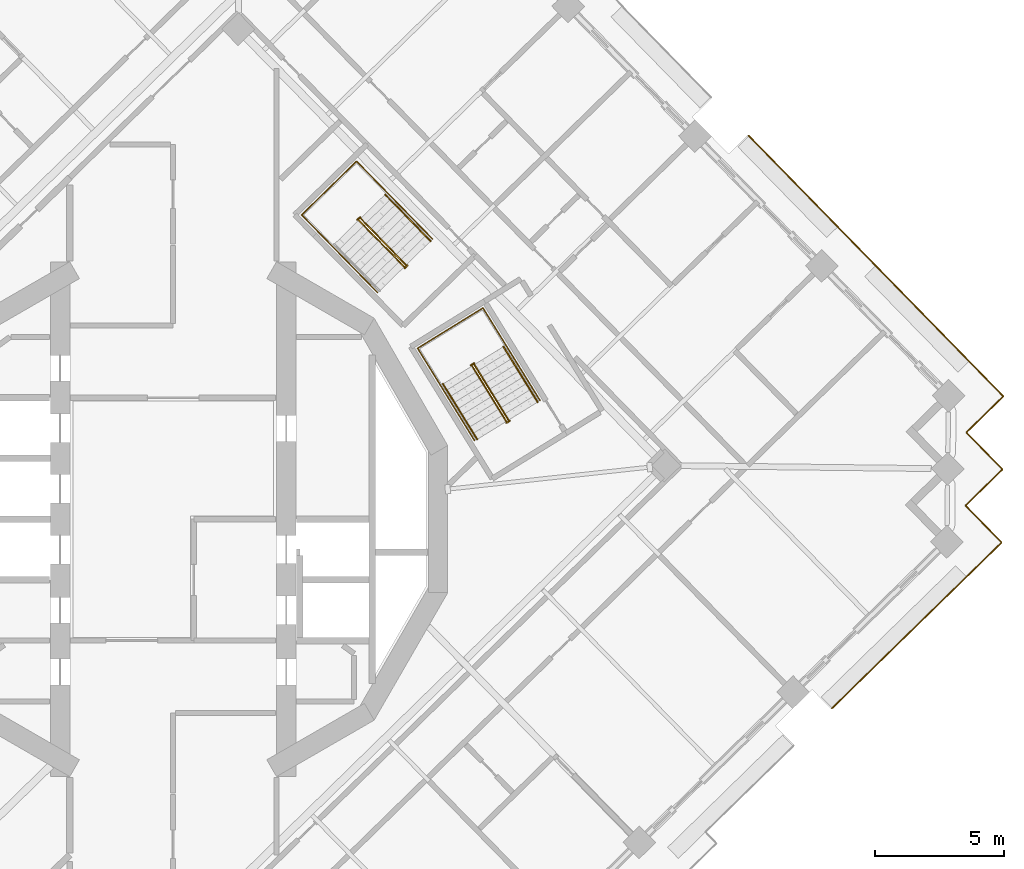
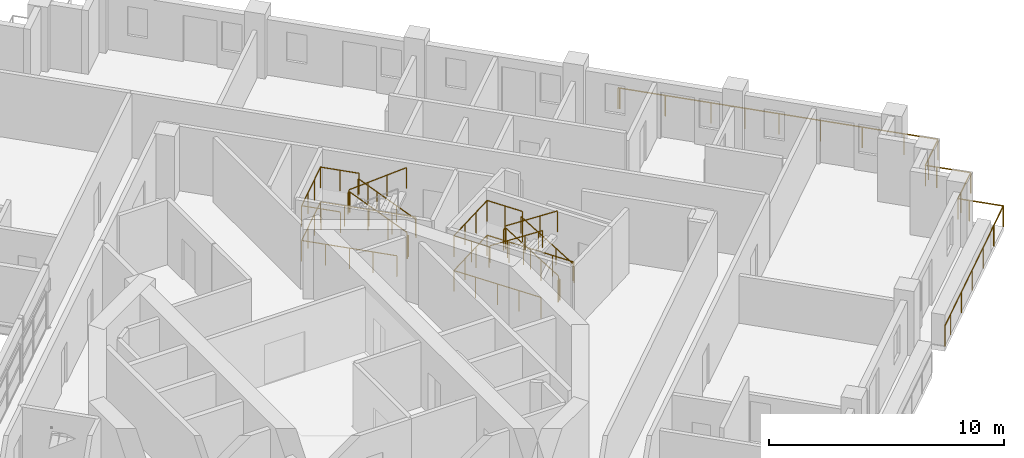
# One storey, part 19 of 21: 14 railings.
"""IFC4 building model written with IfcOpenShell, lengths in metres."""

from ifc_helpers import new_model, si_unit, direction, frame, origin, origin_2d, place, context, subcontext, project, spatial, circle, extrude, material, type_object, element, save


model = new_model("IFC4")

# Units and contexts
model_context = context("Model", 3, precision=1e-05, world=origin(), true_north=direction((0.0, 1.0)))
body_context = subcontext(model_context, "Body", "Model", "MODEL_VIEW")
ifc_project = project(units=[si_unit("LENGTHUNIT", "METRE"), si_unit("AREAUNIT", "SQUARE_METRE"), si_unit("VOLUMEUNIT", "CUBIC_METRE"), si_unit("PLANEANGLEUNIT", "RADIAN"), si_unit("MASSUNIT", "GRAM", prefix="KILO")], contexts=[model_context])

# Site, building, storey
site_placement = place(None, origin())
site = spatial("IfcSite", under=ifc_project, at=site_placement, CompositionType="ELEMENT")
building_placement = place(site_placement, origin())
building = spatial("IfcBuilding", under=site, at=building_placement, Name="Cantera Rosa Tower", CompositionType="ELEMENT")
storey_placement = place(building_placement, frame((0.0, 0.0, 234.199951171875)))
storey = spatial("IfcBuildingStorey", under=building, at=storey_placement, Name="L51", CompositionType="ELEMENT", Elevation=234.199951171875)

# Railings
ifc_material_1 = material(Name="Stainless steel and laminated glass", Category="steel")
railing_type_1 = type_object("IfcRailingType", Name="GUARD 1100", PredefinedType="BALUSTRADE", material=ifc_material_1)
railing_1_placement = place(storey_placement, frame((22.26416015625, 14.845703125, 0.0)))
element("IfcRailing", 1, at=railing_1_placement, inside=storey, type_object=railing_type_1, Name="GUARD L51-8", PredefinedType="BALUSTRADE", context=body_context, shape_type="SweptSolid", body=[
    extrude(circle(Radius=0.030029296875, at=origin_2d()), frame((0.0, 0.0, 1.070068359375), z_axis=(0.700106234421, -0.714038696798, 0.0), x_axis=(0.714038696798, 0.700106234421, 0.0)), (0.0, 0.0, 1.0), 0.070068359375),
    extrude(circle(Radius=0.030029296875, at=origin_2d()), frame((0.049072265625, -0.050048828125, 1.070068359375), z_axis=(0.698829866575, -0.715287926351, 0.0), x_axis=(0.715287926351, 0.698829866575, 0.0)), (0.0, 0.0, 1.0), 4.02001953125),
    extrude(circle(Radius=0.030029296875, at=origin_2d()), frame((2.8583984375, -2.925537109375, 1.070068359375), z_axis=(0.698839281014, -0.715278728407, 0.0), x_axis=(0.715278728407, 0.698839281014, 0.0)), (0.0, 0.0, 1.0), 3.0),
    extrude(circle(Radius=0.030029296875, at=origin_2d()), frame((4.954833984375, -5.0712890625, 1.070068359375), z_axis=(0.698810055914, -0.715307280652, 0.0), x_axis=(0.715307280652, 0.698810055914, 0.0)), (0.0, 0.0, 1.0), 5.52001953125),
    extrude(circle(Radius=0.030029296875, at=origin_2d()), frame((8.812255859375, -9.019775390625, 1.070068359375), z_axis=(0.698921594874, -0.71519829713, 0.0), x_axis=(0.71519829713, 0.698921594874, 0.0)), (0.0, 0.0, 1.0), 1.5),
    extrude(circle(Radius=0.030029296875, at=origin_2d()), frame((9.860595703125, -10.092529296875, 1.070068359375), z_axis=(-0.715277793538, -0.698840237873, 0.0), x_axis=(0.698840237873, -0.715277793538, 0.0)), (0.0, 0.0, 1.0), 1.5),
    extrude(circle(Radius=0.030029296875, at=origin_2d()), frame((8.78759765625, -11.140869140625, 1.070068359375), z_axis=(-0.715359149995, -0.698756958118, 0.0), x_axis=(0.698756958118, -0.715359149995, 0.0)), (0.0, 0.0, 1.0), 0.5),
    extrude(circle(Radius=0.030029296875, at=origin_2d()), frame((8.429931640625, -11.490234375, 1.070068359375), z_axis=(0.699006712162, -0.715115107065, 0.0), x_axis=(0.715115107065, 0.699006712162, 0.0)), (0.0, 0.0, 1.0), 0.500244140625),
    extrude(circle(Radius=0.030029296875, at=origin_2d()), frame((8.779541015625, -11.847900390625, 1.070068359375), z_axis=(0.698756958118, -0.715359149995, 0.0), x_axis=(0.715359149995, 0.698756958118, 0.0)), (0.0, 0.0, 1.0), 1.5),
    extrude(circle(Radius=0.030029296875, at=origin_2d()), frame((9.82763671875, -12.9208984375, 1.070068359375), z_axis=(-0.71519829713, -0.698921594874, 0.0), x_axis=(0.698921594874, -0.71519829713, 0.0)), (0.0, 0.0, 1.0), 1.5),
    extrude(circle(Radius=0.030029296875, at=origin_2d()), frame((8.7548828125, -13.96923828125, 1.070068359375), z_axis=(-0.715359149995, -0.698756958118, 0.0), x_axis=(0.698756958118, -0.715359149995, 0.0)), (0.0, 0.0, 1.0), 0.5),
    extrude(circle(Radius=0.030029296875, at=origin_2d()), frame((8.397216796875, -14.318603515625, 1.070068359375), z_axis=(0.698756958118, -0.715359149995, 0.0), x_axis=(0.715359149995, 0.698756958118, 0.0)), (0.0, 0.0, 1.0), 0.5),
    extrude(circle(Radius=0.030029296875, at=origin_2d()), frame((8.74658203125, -14.67626953125, 1.070068359375), z_axis=(0.698838323933, -0.71527966349, 0.0), x_axis=(0.71527966349, 0.698838323933, 0.0)), (0.0, 0.0, 1.0), 1.499755859375),
    extrude(circle(Radius=0.030029296875, at=origin_2d()), frame((9.794677734375, -15.7490234375, 1.070068359375), z_axis=(-0.71519829713, -0.698921594874, 0.0), x_axis=(0.698921594874, -0.71519829713, 0.0)), (0.0, 0.0, 1.0), 1.5),
    extrude(circle(Radius=0.030029296875, at=origin_2d()), frame((8.721923828125, -16.79736328125, 1.070068359375), z_axis=(-0.71527874674, -0.69883926225, 0.0), x_axis=(0.69883926225, -0.71527874674, 0.0)), (0.0, 0.0, 1.0), 6.816650390625),
    extrude(circle(Radius=0.030029296875, at=origin_2d()), frame((3.84619140625, -21.56103515625, 1.070068359375), z_axis=(0.668964731622, -0.743294146247, 0.0), x_axis=(0.743294146247, 0.668964731622, 0.0)), (0.0, 0.0, 1.0), 0.003173828125),
    extrude(circle(Radius=0.030029296875, at=origin_2d()), frame((3.848388671875, -21.5634765625, 1.070068359375), z_axis=(-0.715304688836, -0.698812708906, 0.0), x_axis=(0.698812708906, -0.715304688836, 0.0)), (0.0, 0.0, 1.0), 0.873291015625),
    extrude(circle(Radius=0.02490234375, at=origin_2d()), origin(), (0.0, 0.0, 1.0), 1.0400390625),
    extrude(circle(Radius=0.02490234375, at=origin_2d()), frame((0.049072265625, -0.050048828125, 0.0)), (0.0, 0.0, 1.0), 1.0400390625),
    extrude(circle(Radius=0.02490234375, at=origin_2d()), frame((1.45361328125, -1.48779296875, 0.0)), (0.0, 0.0, 1.0), 1.0400390625),
    extrude(circle(Radius=0.02490234375, at=origin_2d()), frame((2.8583984375, -2.925537109375, 0.0)), (0.0, 0.0, 1.0), 1.0400390625),
    extrude(circle(Radius=0.02490234375, at=origin_2d()), frame((3.90673828125, -3.99853515625, 0.0)), (0.0, 0.0, 1.0), 1.0400390625),
    extrude(circle(Radius=0.02490234375, at=origin_2d()), frame((4.954833984375, -5.0712890625, 0.0)), (0.0, 0.0, 1.0), 1.0400390625),
    extrude(circle(Radius=0.02490234375, at=origin_2d()), frame((6.24072265625, -6.387451171875, 0.0)), (0.0, 0.0, 1.0), 1.0400390625),
    extrude(circle(Radius=0.02490234375, at=origin_2d()), frame((7.5263671875, -7.70361328125, 0.0)), (0.0, 0.0, 1.0), 1.0400390625),
    extrude(circle(Radius=0.02490234375, at=origin_2d()), frame((8.812255859375, -9.019775390625, 0.0)), (0.0, 0.0, 1.0), 1.0400390625),
    extrude(circle(Radius=0.02490234375, at=origin_2d()), frame((9.860595703125, -10.092529296875, 0.0)), (0.0, 0.0, 1.0), 1.0400390625),
    extrude(circle(Radius=0.02490234375, at=origin_2d()), frame((8.78759765625, -11.140869140625, 0.0)), (0.0, 0.0, 1.0), 1.0400390625),
    extrude(circle(Radius=0.02490234375, at=origin_2d()), frame((8.429931640625, -11.490234375, 0.0)), (0.0, 0.0, 1.0), 1.0400390625),
    extrude(circle(Radius=0.02490234375, at=origin_2d()), frame((8.779541015625, -11.847900390625, 0.0)), (0.0, 0.0, 1.0), 1.0400390625),
    extrude(circle(Radius=0.02490234375, at=origin_2d()), frame((9.82763671875, -12.9208984375, 0.0)), (0.0, 0.0, 1.0), 1.0400390625),
    extrude(circle(Radius=0.02490234375, at=origin_2d()), frame((8.7548828125, -13.96923828125, 0.0)), (0.0, 0.0, 1.0), 1.0400390625),
    extrude(circle(Radius=0.02490234375, at=origin_2d()), frame((8.397216796875, -14.318603515625, 0.0)), (0.0, 0.0, 1.0), 1.0400390625),
    extrude(circle(Radius=0.02490234375, at=origin_2d()), frame((8.74658203125, -14.67626953125, 0.0)), (0.0, 0.0, 1.0), 1.0400390625),
    extrude(circle(Radius=0.02490234375, at=origin_2d()), frame((9.794677734375, -15.7490234375, 0.0)), (0.0, 0.0, 1.0), 1.0400390625),
    extrude(circle(Radius=0.02490234375, at=origin_2d()), frame((8.721923828125, -16.79736328125, 0.0)), (0.0, 0.0, 1.0), 1.0400390625),
    extrude(circle(Radius=0.02490234375, at=origin_2d()), frame((7.5029296875, -17.98828125, 0.0)), (0.0, 0.0, 1.0), 1.0400390625),
    extrude(circle(Radius=0.02490234375, at=origin_2d()), frame((6.2841796875, -19.17919921875, 0.0)), (0.0, 0.0, 1.0), 1.0400390625),
    extrude(circle(Radius=0.02490234375, at=origin_2d()), frame((5.065185546875, -20.3701171875, 0.0)), (0.0, 0.0, 1.0), 1.0400390625),
    extrude(circle(Radius=0.02490234375, at=origin_2d()), frame((3.84619140625, -21.56103515625, 0.0)), (0.0, 0.0, 1.0), 1.0400390625),
    extrude(circle(Radius=0.02490234375, at=origin_2d()), frame((3.848388671875, -21.5634765625, 0.0)), (0.0, 0.0, 1.0), 1.0400390625),
    extrude(circle(Radius=0.02490234375, at=origin_2d()), frame((3.2236328125, -22.173828125, 0.0)), (0.0, 0.0, 1.0), 1.0400390625),
])
ifc_material_2 = material(Name="Steel S355J2 (EN 10025-2)", Category="steel")
railing_type_2 = type_object("IfcRailingType", Name="STAIR GUARD 1100", PredefinedType="GUARDRAIL", material=ifc_material_2)
railing_2_placement = place(storey_placement, frame((12.9765625, 3.834228515625, 0.179931640625)))
element("IfcRailing", 2, at=railing_2_placement, inside=storey, type_object=railing_type_2, Name="L51 ST-41 stair guard 1", PredefinedType="GUARDRAIL", context=body_context, shape_type="SweptSolid", body=[
    extrude(circle(Radius=0.02392578125, at=origin_2d()), frame((0.0, 0.0, 1.076171875), z_axis=(-0.44154346381, 0.715939337315, 0.540805172729), x_axis=(-0.851145618652, -0.524929648476, 0.0)), (0.0, 0.0, 1.0), 2.995849609375),
    extrude(circle(Radius=0.02392578125, at=origin_2d()), frame((-1.32275390625, 2.144775390625, 2.6962890625), z_axis=(-0.073711968402, 0.997279572494, 0.0), x_axis=(-0.997279572494, -0.073711968402, 0.0)), (0.0, 0.0, 1.0), 0.056396484375),
    extrude(circle(Radius=0.02392578125, at=origin_2d()), frame((-1.326904296875, 2.200927734375, 2.6962890625), z_axis=(-0.851546489876, -0.524279100842, 0.0), x_axis=(0.524279100842, -0.851546489876, 0.0)), (0.0, 0.0, 1.0), 0.14990234375),
    extrude(circle(Radius=0.02099609375, at=origin_2d()), origin(), (0.0, 0.0, 1.0), 1.052001953125),
    extrude(circle(Radius=0.02099609375, at=origin_2d()), frame((-0.44091796875, 0.71484375, 0.5400390625)), (0.0, 0.0, 1.0), 1.052001953125),
    extrude(circle(Radius=0.02099609375, at=origin_2d()), frame((-0.8818359375, 1.429931640625, 1.080078125)), (0.0, 0.0, 1.0), 1.052001953125),
    extrude(circle(Radius=0.02099609375, at=origin_2d()), frame((-1.32275390625, 2.144775390625, 1.6201171875)), (0.0, 0.0, 1.0), 1.052001953125),
    extrude(circle(Radius=0.02099609375, at=origin_2d()), frame((-1.326904296875, 2.200927734375, 1.6201171875)), (0.0, 0.0, 1.0), 1.052001953125),
    extrude(circle(Radius=0.02099609375, at=origin_2d()), frame((-1.45458984375, 2.122314453125, 1.6201171875)), (0.0, 0.0, 1.0), 1.052001953125),
])
railing_3_placement = place(storey_placement, frame((11.5703125, 5.927490234375, 1.97998046875)))
element("IfcRailing", 3, at=railing_3_placement, inside=storey, type_object=railing_type_2, Name="L51 ST-41 stair guard 2", PredefinedType="GUARDRAIL", context=body_context, shape_type="SweptSolid", body=[
    extrude(circle(Radius=0.02392578125, at=origin_2d()), frame((0.0, 0.0, 1.076171875), z_axis=(0.441609067481, -0.715913574058, 0.540785711718), x_axis=(0.851102330005, 0.524999832248, 0.0)), (0.0, 0.0, 1.0), 2.995849609375),
    extrude(circle(Radius=0.02099609375, at=origin_2d()), origin(), (0.0, 0.0, 1.0), 1.052001953125),
    extrude(circle(Radius=0.02099609375, at=origin_2d()), frame((0.44091796875, -0.71484375, 0.5400390625)), (0.0, 0.0, 1.0), 1.052001953125),
    extrude(circle(Radius=0.02099609375, at=origin_2d()), frame((0.882080078125, -1.429931640625, 1.080078125)), (0.0, 0.0, 1.0), 1.052001953125),
    extrude(circle(Radius=0.02099609375, at=origin_2d()), frame((1.322998046875, -2.144775390625, 1.6201171875)), (0.0, 0.0, 1.0), 1.052001953125),
])
railing_4_placement = place(storey_placement, frame((13.025146484375, 3.80517578125, 0.0)))
element("IfcRailing", 4, at=railing_4_placement, inside=storey, type_object=railing_type_2, Name="L51 ST-41 stair guard 3", PredefinedType="GUARDRAIL", context=body_context, shape_type="SweptSolid", body=[
    extrude(circle(Radius=0.02392578125, at=origin_2d()), frame((0.0, 0.0, 1.076171875), z_axis=(-0.851546489876, -0.524279100842, 0.0), x_axis=(0.524279100842, -0.851546489876, 0.0)), (0.0, 0.0, 1.0), 0.14990234375),
    extrude(circle(Radius=0.02099609375, at=origin_2d()), origin(), (0.0, 0.0, 1.0), 1.052001953125),
    extrude(circle(Radius=0.02099609375, at=origin_2d()), frame((-0.127685546875, -0.07861328125, 0.0)), (0.0, 0.0, 1.0), 1.052001953125),
])
railing_5_placement = place(storey_placement, frame((14.192626953125, 4.59814453125, 0.0)))
element("IfcRailing", 5, at=railing_5_placement, inside=storey, type_object=railing_type_2, Name="L51 ST-41 stair guard 4", PredefinedType="GUARDRAIL", context=body_context, shape_type="SweptSolid", body=[
    extrude(circle(Radius=0.02392578125, at=origin_2d()), frame((0.0, 0.0, 1.076171875), z_axis=(-0.524976478809, 0.851116735059, 0.0), x_axis=(-0.851116735059, -0.524976478809, 0.0)), (0.0, 0.0, 1.0), 4.197998046875),
    extrude(circle(Radius=0.02392578125, at=origin_2d()), frame((-2.203857421875, 3.572998046875, 1.076171875), z_axis=(-0.851132917336, -0.524950242429, 0.0), x_axis=(0.524950242429, -0.851132917336, 0.0)), (0.0, 0.0, 1.0), 2.969970703125),
    extrude(circle(Radius=0.02392578125, at=origin_2d()), frame((-4.731689453125, 2.013916015625, 1.076171875), z_axis=(0.524976478809, -0.851116735059, 0.0), x_axis=(0.851116735059, 0.524976478809, 0.0)), (0.0, 0.0, 1.0), 4.197998046875),
    extrude(circle(Radius=0.02099609375, at=origin_2d()), origin(), (0.0, 0.0, 1.0), 1.052001953125),
    extrude(circle(Radius=0.02099609375, at=origin_2d()), frame((-0.551025390625, 0.893310546875, 0.0)), (0.0, 0.0, 1.0), 1.052001953125),
    extrude(circle(Radius=0.02099609375, at=origin_2d()), frame((-1.10205078125, 1.78662109375, 0.0)), (0.0, 0.0, 1.0), 1.052001953125),
    extrude(circle(Radius=0.02099609375, at=origin_2d()), frame((-1.65283203125, 2.6796875, 0.0)), (0.0, 0.0, 1.0), 1.052001953125),
    extrude(circle(Radius=0.02099609375, at=origin_2d()), frame((-2.203857421875, 3.572998046875, 0.0)), (0.0, 0.0, 1.0), 1.052001953125),
    extrude(circle(Radius=0.02099609375, at=origin_2d()), frame((-3.04638671875, 3.05322265625, 0.0)), (0.0, 0.0, 1.0), 1.052001953125),
    extrude(circle(Radius=0.02099609375, at=origin_2d()), frame((-3.88916015625, 2.53369140625, 0.0)), (0.0, 0.0, 1.0), 1.052001953125),
    extrude(circle(Radius=0.02099609375, at=origin_2d()), frame((-4.731689453125, 2.013916015625, 0.0)), (0.0, 0.0, 1.0), 1.052001953125),
    extrude(circle(Radius=0.02099609375, at=origin_2d()), frame((-4.1806640625, 1.12060546875, 0.0)), (0.0, 0.0, 1.0), 1.052001953125),
    extrude(circle(Radius=0.02099609375, at=origin_2d()), frame((-3.6298828125, 0.2275390625, 0.0)), (0.0, 0.0, 1.0), 1.052001953125),
    extrude(circle(Radius=0.02099609375, at=origin_2d()), frame((-3.078857421875, -0.665771484375, 0.0)), (0.0, 0.0, 1.0), 1.052001953125),
    extrude(circle(Radius=0.02099609375, at=origin_2d()), frame((-2.52783203125, -1.55908203125, 0.0)), (0.0, 0.0, 1.0), 1.052001953125),
])
railing_6_placement = place(storey_placement, frame((12.88232421875, 6.72265625, 1.800048828125)))
element("IfcRailing", 6, at=railing_6_placement, inside=storey, type_object=railing_type_2, Name="L51 ST-41 stair guard 5", PredefinedType="GUARDRAIL", context=body_context, shape_type="SweptSolid", body=[
    extrude(circle(Radius=0.02392578125, at=origin_2d()), frame((0.0, 0.0, 1.076171875), z_axis=(-0.525025534833, 0.851086474909, 0.0), x_axis=(-0.851086474909, -0.525025534833, 0.0)), (0.0, 0.0, 1.0), 1.701904296875),
    extrude(circle(Radius=0.02392578125, at=origin_2d()), frame((-0.8935546875, 1.448486328125, 1.076171875), z_axis=(-0.851132917336, -0.524950242429, 0.0), x_axis=(0.524950242429, -0.851132917336, 0.0)), (0.0, 0.0, 1.0), 2.969970703125),
    extrude(circle(Radius=0.02392578125, at=origin_2d()), frame((-3.42138671875, -0.110595703125, 1.076171875), z_axis=(0.524961441845, -0.851126009811, 0.0), x_axis=(0.851126009811, 0.524961441845, 0.0)), (0.0, 0.0, 1.0), 1.7021484375),
    extrude(circle(Radius=0.02099609375, at=origin_2d()), origin(), (0.0, 0.0, 1.0), 1.052001953125),
    extrude(circle(Radius=0.02099609375, at=origin_2d()), frame((-0.44677734375, 0.72412109375, 0.0)), (0.0, 0.0, 1.0), 1.052001953125),
    extrude(circle(Radius=0.02099609375, at=origin_2d()), frame((-0.8935546875, 1.448486328125, 0.0)), (0.0, 0.0, 1.0), 1.052001953125),
    extrude(circle(Radius=0.02099609375, at=origin_2d()), frame((-1.736083984375, 0.9287109375, 0.0)), (0.0, 0.0, 1.0), 1.052001953125),
    extrude(circle(Radius=0.02099609375, at=origin_2d()), frame((-2.578857421875, 0.4091796875, 0.0)), (0.0, 0.0, 1.0), 1.052001953125),
    extrude(circle(Radius=0.02099609375, at=origin_2d()), frame((-3.42138671875, -0.110595703125, 0.0)), (0.0, 0.0, 1.0), 1.052001953125),
    extrude(circle(Radius=0.02099609375, at=origin_2d()), frame((-2.974609375, -0.8349609375, 0.0)), (0.0, 0.0, 1.0), 1.052001953125),
    extrude(circle(Radius=0.02099609375, at=origin_2d()), frame((-2.52783203125, -1.559326171875, 0.0)), (0.0, 0.0, 1.0), 1.052001953125),
])
railing_7_placement = place(storey_placement, frame((9.013427734375, 9.832763671875, 0.179931640625)))
element("IfcRailing", 7, at=railing_7_placement, inside=storey, type_object=railing_type_2, Name="L51 ST-42 stair guard 1", PredefinedType="GUARDRAIL", context=body_context, shape_type="SweptSolid", body=[
    extrude(circle(Radius=0.02392578125, at=origin_2d()), frame((0.0, 0.0, 1.076171875), z_axis=(-0.587818193466, 0.601672219931, 0.54079599776), x_axis=(-0.715293958342, -0.698823692472, 0.0)), (0.0, 0.0, 1.0), 2.995849609375),
    extrude(circle(Radius=0.02392578125, at=origin_2d()), frame((-1.760986328125, 1.802490234375, 2.6962890625), z_axis=(-0.290127576896, 0.956987977523, 0.0), x_axis=(-0.956987977523, -0.290127576896, 0.0)), (0.0, 0.0, 1.0), 0.056396484375),
    extrude(circle(Radius=0.02392578125, at=origin_2d()), frame((-1.77734375, 1.8564453125, 2.6962890625), z_axis=(-0.71600013962, -0.69810013613, 0.0), x_axis=(0.69810013613, -0.71600013962, 0.0)), (0.0, 0.0, 1.0), 0.150146484375),
    extrude(circle(Radius=0.02099609375, at=origin_2d()), origin(), (0.0, 0.0, 1.0), 1.052001953125),
    extrude(circle(Radius=0.02099609375, at=origin_2d()), frame((-0.5869140625, 0.600830078125, 0.5400390625)), (0.0, 0.0, 1.0), 1.052001953125),
    extrude(circle(Radius=0.02099609375, at=origin_2d()), frame((-1.174072265625, 1.20166015625, 1.080078125)), (0.0, 0.0, 1.0), 1.052001953125),
    extrude(circle(Radius=0.02099609375, at=origin_2d()), frame((-1.760986328125, 1.802490234375, 1.6201171875)), (0.0, 0.0, 1.0), 1.052001953125),
    extrude(circle(Radius=0.02099609375, at=origin_2d()), frame((-1.77734375, 1.8564453125, 1.6201171875)), (0.0, 0.0, 1.0), 1.052001953125),
    extrude(circle(Radius=0.02099609375, at=origin_2d()), frame((-1.884765625, 1.751708984375, 1.6201171875)), (0.0, 0.0, 1.0), 1.052001953125),
])
railing_8_placement = place(storey_placement, frame((7.182373046875, 11.56689453125, 1.97998046875)))
element("IfcRailing", 8, at=railing_8_placement, inside=storey, type_object=railing_type_2, Name="L51 ST-42 stair guard 2", PredefinedType="GUARDRAIL", context=body_context, shape_type="SweptSolid", body=[
    extrude(circle(Radius=0.02392578125, at=origin_2d()), frame((0.0, 0.0, 1.076171875), z_axis=(0.587818193466, -0.601672219931, 0.54079599776), x_axis=(0.715293958342, 0.698823692472, 0.0)), (0.0, 0.0, 1.0), 2.995849609375),
    extrude(circle(Radius=0.02099609375, at=origin_2d()), origin(), (0.0, 0.0, 1.0), 1.052001953125),
    extrude(circle(Radius=0.02099609375, at=origin_2d()), frame((0.5869140625, -0.600830078125, 0.5400390625)), (0.0, 0.0, 1.0), 1.052001953125),
    extrude(circle(Radius=0.02099609375, at=origin_2d()), frame((1.174072265625, -1.20166015625, 1.080078125)), (0.0, 0.0, 1.0), 1.052001953125),
    extrude(circle(Radius=0.02099609375, at=origin_2d()), frame((1.760986328125, -1.802490234375, 1.6201171875)), (0.0, 0.0, 1.0), 1.052001953125),
])
railing_9_placement = place(storey_placement, frame((9.06689453125, 9.815185546875, 0.0)))
element("IfcRailing", 9, at=railing_9_placement, inside=storey, type_object=railing_type_2, Name="L51 ST-42 stair guard 3", PredefinedType="GUARDRAIL", context=body_context, shape_type="SweptSolid", body=[
    extrude(circle(Radius=0.02392578125, at=origin_2d()), frame((0.0, 0.0, 1.076171875), z_axis=(-0.715205710557, -0.698914008722, 0.0), x_axis=(0.698914008722, -0.715205710557, 0.0)), (0.0, 0.0, 1.0), 0.14990234375),
    extrude(circle(Radius=0.02099609375, at=origin_2d()), origin(), (0.0, 0.0, 1.0), 1.052001953125),
    extrude(circle(Radius=0.02099609375, at=origin_2d()), frame((-0.107177734375, -0.104736328125, 0.0)), (0.0, 0.0, 1.0), 1.052001953125),
])
railing_10_placement = place(storey_placement, frame((10.0322265625, 10.844970703125, 0.0)))
element("IfcRailing", 10, at=railing_10_placement, inside=storey, type_object=railing_type_2, Name="L51 ST-42 stair guard 4", PredefinedType="GUARDRAIL", context=body_context, shape_type="SweptSolid", body=[
    extrude(circle(Radius=0.02392578125, at=origin_2d()), frame((0.0, 0.0, 1.076171875), z_axis=(-0.698859254364, 0.715259213566, 0.0), x_axis=(-0.715259213566, -0.698859254364, 0.0)), (0.0, 0.0, 1.0), 4.197998046875),
    extrude(circle(Radius=0.02392578125, at=origin_2d()), frame((-2.933837890625, 3.002685546875, 1.076171875), z_axis=(-0.715279654138, -0.698838333505, 0.0), x_axis=(0.698838333505, -0.715279654138, 0.0)), (0.0, 0.0, 1.0), 2.9697265625),
    extrude(circle(Radius=0.02392578125, at=origin_2d()), frame((-5.05810546875, 0.92724609375, 1.076171875), z_axis=(0.698829500247, -0.715288284249, 0.0), x_axis=(0.715288284249, 0.698829500247, 0.0)), (0.0, 0.0, 1.0), 4.19775390625),
    extrude(circle(Radius=0.02099609375, at=origin_2d()), origin(), (0.0, 0.0, 1.0), 1.052001953125),
    extrude(circle(Radius=0.02099609375, at=origin_2d()), frame((-0.7333984375, 0.750732421875, 0.0)), (0.0, 0.0, 1.0), 1.052001953125),
    extrude(circle(Radius=0.02099609375, at=origin_2d()), frame((-1.466796875, 1.50146484375, 0.0)), (0.0, 0.0, 1.0), 1.052001953125),
    extrude(circle(Radius=0.02099609375, at=origin_2d()), frame((-2.200439453125, 2.251953125, 0.0)), (0.0, 0.0, 1.0), 1.052001953125),
    extrude(circle(Radius=0.02099609375, at=origin_2d()), frame((-2.933837890625, 3.002685546875, 0.0)), (0.0, 0.0, 1.0), 1.052001953125),
    extrude(circle(Radius=0.02099609375, at=origin_2d()), frame((-3.641845703125, 2.310791015625, 0.0)), (0.0, 0.0, 1.0), 1.052001953125),
    extrude(circle(Radius=0.02099609375, at=origin_2d()), frame((-4.35009765625, 1.619140625, 0.0)), (0.0, 0.0, 1.0), 1.052001953125),
    extrude(circle(Radius=0.02099609375, at=origin_2d()), frame((-5.05810546875, 0.92724609375, 0.0)), (0.0, 0.0, 1.0), 1.052001953125),
    extrude(circle(Radius=0.02099609375, at=origin_2d()), frame((-4.32470703125, 0.176513671875, 0.0)), (0.0, 0.0, 1.0), 1.052001953125),
    extrude(circle(Radius=0.02099609375, at=origin_2d()), frame((-3.59130859375, -0.57421875, 0.0)), (0.0, 0.0, 1.0), 1.052001953125),
    extrude(circle(Radius=0.02099609375, at=origin_2d()), frame((-2.85791015625, -1.32470703125, 0.0)), (0.0, 0.0, 1.0), 1.052001953125),
    extrude(circle(Radius=0.02099609375, at=origin_2d()), frame((-2.12451171875, -2.075439453125, 0.0)), (0.0, 0.0, 1.0), 1.052001953125),
])
railing_11_placement = place(storey_placement, frame((8.287841796875, 12.63037109375, 1.800048828125)))
element("IfcRailing", 11, at=railing_11_placement, inside=storey, type_object=railing_type_2, Name="L51 ST-42 stair guard 5", PredefinedType="GUARDRAIL", context=body_context, shape_type="SweptSolid", body=[
    extrude(circle(Radius=0.02392578125, at=origin_2d()), frame((0.0, 0.0, 1.076171875), z_axis=(-0.698882919007, 0.715236090757, 0.0), x_axis=(-0.715236090757, -0.698882919007, 0.0)), (0.0, 0.0, 1.0), 1.701904296875),
    extrude(circle(Radius=0.02392578125, at=origin_2d()), frame((-1.189453125, 1.21728515625, 1.076171875), z_axis=(-0.715279654138, -0.698838333505, 0.0), x_axis=(0.698838333505, -0.715279654138, 0.0)), (0.0, 0.0, 1.0), 2.9697265625),
    extrude(circle(Radius=0.02392578125, at=origin_2d()), frame((-3.313720703125, -0.858154296875, 1.076171875), z_axis=(0.698811217595, -0.715306145761, 0.0), x_axis=(0.715306145761, 0.698811217595, 0.0)), (0.0, 0.0, 1.0), 1.7021484375),
    extrude(circle(Radius=0.02099609375, at=origin_2d()), origin(), (0.0, 0.0, 1.0), 1.052001953125),
    extrude(circle(Radius=0.02099609375, at=origin_2d()), frame((-0.5947265625, 0.608642578125, 0.0)), (0.0, 0.0, 1.0), 1.052001953125),
    extrude(circle(Radius=0.02099609375, at=origin_2d()), frame((-1.189453125, 1.21728515625, 0.0)), (0.0, 0.0, 1.0), 1.052001953125),
    extrude(circle(Radius=0.02099609375, at=origin_2d()), frame((-1.8974609375, 0.525390625, 0.0)), (0.0, 0.0, 1.0), 1.052001953125),
    extrude(circle(Radius=0.02099609375, at=origin_2d()), frame((-2.605712890625, -0.166259765625, 0.0)), (0.0, 0.0, 1.0), 1.052001953125),
    extrude(circle(Radius=0.02099609375, at=origin_2d()), frame((-3.313720703125, -0.858154296875, 0.0)), (0.0, 0.0, 1.0), 1.052001953125),
    extrude(circle(Radius=0.02099609375, at=origin_2d()), frame((-2.718994140625, -1.466796875, 0.0)), (0.0, 0.0, 1.0), 1.052001953125),
    extrude(circle(Radius=0.02099609375, at=origin_2d()), frame((-2.124267578125, -2.07568359375, 0.0)), (0.0, 0.0, 1.0), 1.052001953125),
])
ifc_material_3 = material(Name="Steel S355J2 (EN 10025-2)", Category="steel")
railing_type_3 = type_object("IfcRailingType", Name="STAIR HANDRAIL 900", PredefinedType="HANDRAIL", material=ifc_material_3)
railing_12_placement = place(storey_placement, frame((14.105224609375, 4.5302734375, 0.179931640625)))
element("IfcRailing", 12, at=railing_12_placement, inside=storey, type_object=railing_type_3, Name="L51 ST-41 stair handrail 1", PredefinedType="HANDRAIL", context=body_context, shape_type="SweptSolid", body=[
    extrude(circle(Radius=0.02392578125, at=origin_2d()), frame((0.0, 0.0, 0.8759765625), z_axis=(-0.441609067481, 0.715913574058, 0.540785711718), x_axis=(-0.851102330005, -0.524999832248, 0.0)), (0.0, 0.0, 1.0), 2.995849609375),
    extrude(circle(Radius=0.02099609375, at=origin_2d()), origin(), (0.0, 0.0, 1.0), 0.851806640625),
    extrude(circle(Radius=0.02099609375, at=origin_2d()), frame((-0.44091796875, 0.71484375, 0.5400390625)), (0.0, 0.0, 1.0), 0.851806640625),
    extrude(circle(Radius=0.02099609375, at=origin_2d()), frame((-0.882080078125, 1.429931640625, 1.080078125)), (0.0, 0.0, 1.0), 0.851806640625),
    extrude(circle(Radius=0.02099609375, at=origin_2d()), frame((-1.322998046875, 2.144775390625, 1.6201171875)), (0.0, 0.0, 1.0), 0.851806640625),
])
railing_13_placement = place(storey_placement, frame((10.441650390625, 5.2314453125, 1.97998046875)))
element("IfcRailing", 13, at=railing_13_placement, inside=storey, type_object=railing_type_3, Name="L51 ST-41 stair handrail 2", PredefinedType="HANDRAIL", context=body_context, shape_type="SweptSolid", body=[
    extrude(circle(Radius=0.02392578125, at=origin_2d()), frame((0.0, 0.0, 0.8759765625), z_axis=(0.441609067481, -0.715913574058, 0.540785711718), x_axis=(0.851102330005, 0.524999832248, 0.0)), (0.0, 0.0, 1.0), 2.995849609375),
    extrude(circle(Radius=0.02099609375, at=origin_2d()), origin(), (0.0, 0.0, 1.0), 0.851806640625),
    extrude(circle(Radius=0.02099609375, at=origin_2d()), frame((0.44091796875, -0.71484375, 0.5400390625)), (0.0, 0.0, 1.0), 0.851806640625),
    extrude(circle(Radius=0.02099609375, at=origin_2d()), frame((0.882080078125, -1.429931640625, 1.080078125)), (0.0, 0.0, 1.0), 0.851806640625),
    extrude(circle(Radius=0.02099609375, at=origin_2d()), frame((1.322998046875, -2.144775390625, 1.6201171875)), (0.0, 0.0, 1.0), 0.851806640625),
])
railing_14_placement = place(storey_placement, frame((9.9619140625, 10.759521484375, 0.179931640625)))
element("IfcRailing", 14, at=railing_14_placement, inside=storey, type_object=railing_type_3, Name="L51 ST-42 stair handrail 1", PredefinedType="HANDRAIL", context=body_context, shape_type="SweptSolid", body=[
    extrude(circle(Radius=0.02392578125, at=origin_2d()), frame((0.0, 0.0, 0.8759765625), z_axis=(-0.587818193466, 0.601672219931, 0.54079599776), x_axis=(-0.715293958342, -0.698823692472, 0.0)), (0.0, 0.0, 1.0), 2.995849609375),
    extrude(circle(Radius=0.02099609375, at=origin_2d()), origin(), (0.0, 0.0, 1.0), 0.851806640625),
    extrude(circle(Radius=0.02099609375, at=origin_2d()), frame((-0.5869140625, 0.600830078125, 0.5400390625)), (0.0, 0.0, 1.0), 0.851806640625),
    extrude(circle(Radius=0.02099609375, at=origin_2d()), frame((-1.174072265625, 1.20166015625, 1.080078125)), (0.0, 0.0, 1.0), 0.851806640625),
    extrude(circle(Radius=0.02099609375, at=origin_2d()), frame((-1.760986328125, 1.802490234375, 1.6201171875)), (0.0, 0.0, 1.0), 0.851806640625),
])

save(model, "model.ifc")
